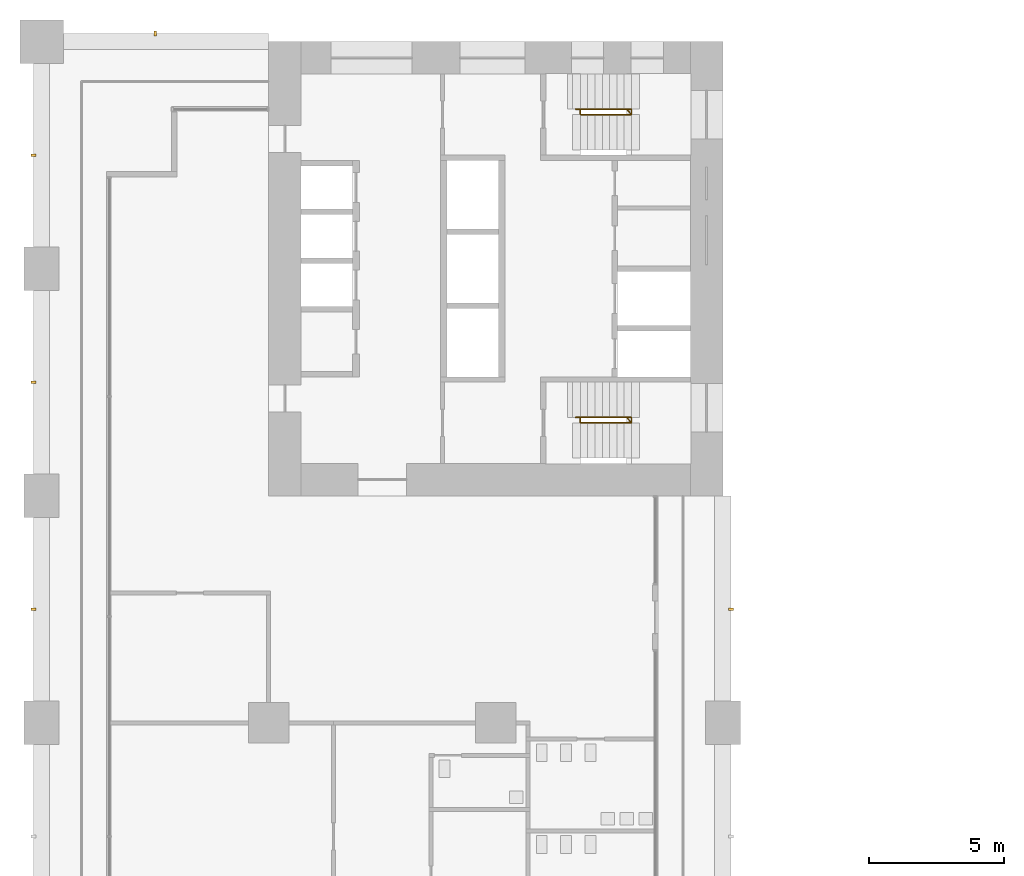
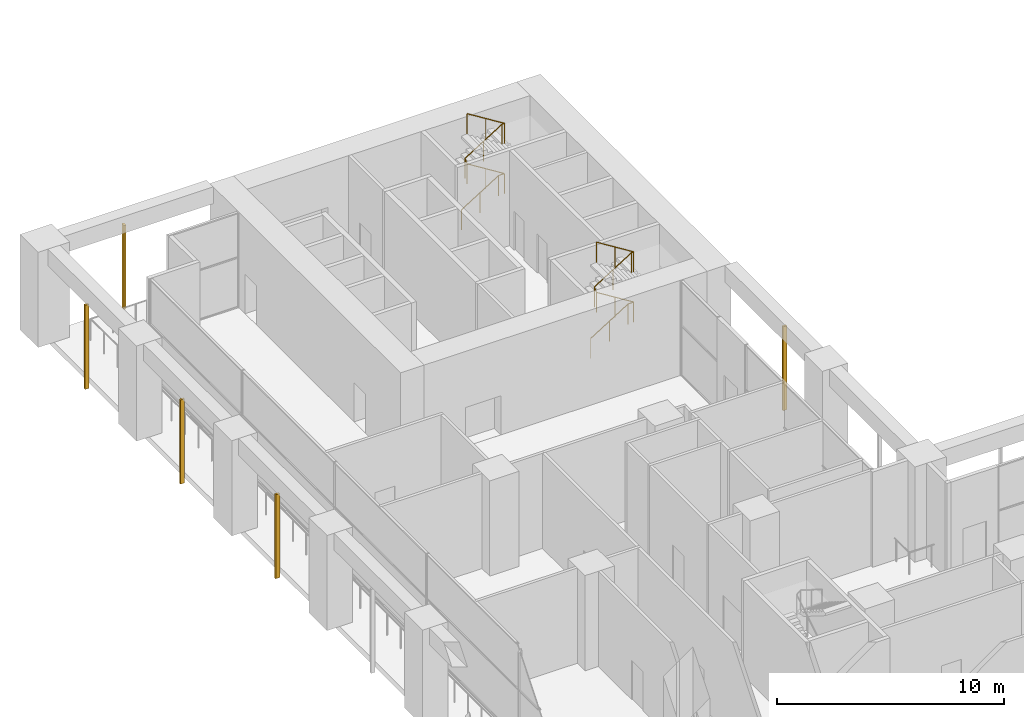
# One storey, part 28 of 32: 5 shading devices, 2 railings.
"""IFC4 building model written with IfcOpenShell, lengths in metres."""

from ifc_helpers import new_model, si_unit, direction, frame, origin, origin_2d, place, context, subcontext, project, spatial, rectangle, circle, extrude, material, material_profile, profile_set, type_object, element, save


model = new_model("IFC4")

# Units and contexts
model_context = context("Model", 3, precision=1e-05, world=origin(), true_north=direction((0.0, 1.0)))
body_context = subcontext(model_context, "Body", "Model", "MODEL_VIEW")
ifc_project = project(units=[si_unit("LENGTHUNIT", "METRE"), si_unit("AREAUNIT", "SQUARE_METRE"), si_unit("VOLUMEUNIT", "CUBIC_METRE"), si_unit("PLANEANGLEUNIT", "RADIAN"), si_unit("MASSUNIT", "GRAM", prefix="KILO")], contexts=[model_context])

# Site, building, storey
site_placement = place(None, origin())
site = spatial("IfcSite", under=ifc_project, at=site_placement, CompositionType="ELEMENT")
building_placement = place(site_placement, origin())
building = spatial("IfcBuilding", under=site, at=building_placement, Name="Vermilion Gate Residences", CompositionType="ELEMENT")
storey_placement = place(building_placement, frame((0.0, 0.0, 19.800048828125)))
storey = spatial("IfcBuildingStorey", under=building, at=storey_placement, Name="L03", CompositionType="ELEMENT", Elevation=19.800048828125)

# Railings
ifc_material_1 = material(Name="Steel S355", Category="steel")
railing_type = type_object("IfcRailingType", Name="STAIR GUARD 1100 STEEL", PredefinedType="GUARDRAIL", material=ifc_material_1)
railing_1_placement = place(storey_placement, frame((19.75, 56.300048828125, 0.168701171875)))
element("IfcRailing", 1, at=railing_1_placement, inside=storey, type_object=railing_type, Name="Stair well guard STB1-03", PredefinedType="GUARDRAIL", context=body_context, shape_type="SweptSolid", body=[
    extrude(circle(Radius=0.02392578125, at=origin_2d()), frame((0.0, 0.0, 1.076171875), z_axis=(0.848004458282, 0.0, 0.529989093033), x_axis=(0.0, 1.0, 0.0)), (0.0, 0.0, 1.0), 2.228515625),
    extrude(circle(Radius=0.02392578125, at=origin_2d()), frame((1.889892578125, 0.0, 2.25732421875), z_axis=(0.566976657763, -0.629205803127, 0.531636649285), x_axis=(0.74288808428, 0.669415636384, 0.0)), (0.0, 0.0, 1.0), 0.31787109375),
    extrude(circle(Radius=0.02392578125, at=origin_2d()), frame((2.070068359375, -0.199951171875, 2.42626953125), z_axis=(-0.848035224522, 0.0, 0.529939862598), x_axis=(0.0, -1.0, 0.0)), (0.0, 0.0, 1.0), 2.228759765625),
    extrude(circle(Radius=0.02392578125, at=origin_2d()), frame((0.179931640625, -0.199951171875, 3.607421875), z_axis=(0.0, 0.764305856904, 0.644853903688), x_axis=(-1.0, 0.0, 0.0)), (0.0, 0.0, 1.0), 0.26171875),
    extrude(circle(Radius=0.02392578125, at=origin_2d()), frame((0.179931640625, 0.0, 3.77587890625), z_axis=(0.847985996966, 0.0, 0.530018630757), x_axis=(0.0, 1.0, 0.0)), (0.0, 0.0, 1.0), 2.22900390625),
    extrude(circle(Radius=0.02392578125, at=origin_2d()), frame((2.070068359375, 0.0, 4.95751953125), z_axis=(0.0, -0.764305856904, 0.644853903688), x_axis=(1.0, 0.0, 0.0)), (0.0, 0.0, 1.0), 0.26171875),
    extrude(circle(Radius=0.02392578125, at=origin_2d()), frame((2.070068359375, -0.199951171875, 5.1259765625), z_axis=(-0.848035224522, 0.0, 0.529939862598), x_axis=(0.0, -1.0, 0.0)), (0.0, 0.0, 1.0), 2.228759765625),
    extrude(circle(Radius=0.02099609375, at=origin_2d()), origin(), (0.0, 0.0, 1.0), 1.052001953125),
    extrude(circle(Radius=0.02099609375, at=origin_2d()), frame((0.94482421875, 0.0, 0.590576171875)), (0.0, 0.0, 1.0), 1.052001953125),
    extrude(circle(Radius=0.02099609375, at=origin_2d()), frame((1.889892578125, 0.0, 1.18115234375)), (0.0, 0.0, 1.0), 1.052001953125),
    extrude(circle(Radius=0.02099609375, at=origin_2d()), frame((2.070068359375, -0.199951171875, 1.35009765625)), (0.0, 0.0, 1.0), 1.052001953125),
    extrude(circle(Radius=0.02099609375, at=origin_2d()), frame((1.125, -0.199951171875, 1.940673828125)), (0.0, 0.0, 1.0), 1.052001953125),
    extrude(circle(Radius=0.02099609375, at=origin_2d()), frame((0.179931640625, -0.199951171875, 2.53125)), (0.0, 0.0, 1.0), 1.052001953125),
    extrude(circle(Radius=0.02099609375, at=origin_2d()), frame((0.179931640625, 0.0, 2.699951171875)), (0.0, 0.0, 1.0), 1.052001953125),
    extrude(circle(Radius=0.02099609375, at=origin_2d()), frame((1.125, 0.0, 3.29052734375)), (0.0, 0.0, 1.0), 1.052001953125),
    extrude(circle(Radius=0.02099609375, at=origin_2d()), frame((2.070068359375, 0.0, 3.88134765625)), (0.0, 0.0, 1.0), 1.052001953125),
    extrude(circle(Radius=0.02099609375, at=origin_2d()), frame((2.070068359375, -0.199951171875, 4.050048828125)), (0.0, 0.0, 1.0), 1.052001953125),
    extrude(circle(Radius=0.02099609375, at=origin_2d()), frame((1.125, -0.199951171875, 4.640625)), (0.0, 0.0, 1.0), 1.052001953125),
    extrude(circle(Radius=0.02099609375, at=origin_2d()), frame((0.179931640625, -0.199951171875, 5.231201171875)), (0.0, 0.0, 1.0), 1.052001953125),
])
railing_2_placement = place(storey_placement, frame((19.75, 44.89990234375, 0.168701171875)))
element("IfcRailing", 2, at=railing_2_placement, inside=storey, type_object=railing_type, Name="Stair well guard STB2-03", PredefinedType="GUARDRAIL", context=body_context, shape_type="SweptSolid", body=[
    extrude(circle(Radius=0.02392578125, at=origin_2d()), frame((0.0, 0.0, 1.076171875), z_axis=(0.848004458282, 0.0, 0.529989093033), x_axis=(0.0, 1.0, 0.0)), (0.0, 0.0, 1.0), 2.228515625),
    extrude(circle(Radius=0.02392578125, at=origin_2d()), frame((1.889892578125, 0.0, 2.25732421875), z_axis=(0.566976657763, -0.629205803127, 0.531636649285), x_axis=(0.74288808428, 0.669415636384, 0.0)), (0.0, 0.0, 1.0), 0.31787109375),
    extrude(circle(Radius=0.02392578125, at=origin_2d()), frame((2.070068359375, -0.199951171875, 2.42626953125), z_axis=(-0.848035224522, 0.0, 0.529939862598), x_axis=(0.0, -1.0, 0.0)), (0.0, 0.0, 1.0), 2.228759765625),
    extrude(circle(Radius=0.02392578125, at=origin_2d()), frame((0.179931640625, -0.199951171875, 3.607421875), z_axis=(0.0, 0.764305856904, 0.644853903688), x_axis=(-1.0, 0.0, 0.0)), (0.0, 0.0, 1.0), 0.26171875),
    extrude(circle(Radius=0.02392578125, at=origin_2d()), frame((0.179931640625, 0.0, 3.77587890625), z_axis=(0.847985996966, 0.0, 0.530018630757), x_axis=(0.0, 1.0, 0.0)), (0.0, 0.0, 1.0), 2.22900390625),
    extrude(circle(Radius=0.02392578125, at=origin_2d()), frame((2.070068359375, 0.0, 4.95751953125), z_axis=(0.0, -0.764305856904, 0.644853903688), x_axis=(1.0, 0.0, 0.0)), (0.0, 0.0, 1.0), 0.26171875),
    extrude(circle(Radius=0.02392578125, at=origin_2d()), frame((2.070068359375, -0.199951171875, 5.1259765625), z_axis=(-0.848035224522, 0.0, 0.529939862598), x_axis=(0.0, -1.0, 0.0)), (0.0, 0.0, 1.0), 2.228759765625),
    extrude(circle(Radius=0.02099609375, at=origin_2d()), origin(), (0.0, 0.0, 1.0), 1.052001953125),
    extrude(circle(Radius=0.02099609375, at=origin_2d()), frame((0.94482421875, 0.0, 0.590576171875)), (0.0, 0.0, 1.0), 1.052001953125),
    extrude(circle(Radius=0.02099609375, at=origin_2d()), frame((1.889892578125, 0.0, 1.18115234375)), (0.0, 0.0, 1.0), 1.052001953125),
    extrude(circle(Radius=0.02099609375, at=origin_2d()), frame((2.070068359375, -0.199951171875, 1.35009765625)), (0.0, 0.0, 1.0), 1.052001953125),
    extrude(circle(Radius=0.02099609375, at=origin_2d()), frame((1.125, -0.199951171875, 1.940673828125)), (0.0, 0.0, 1.0), 1.052001953125),
    extrude(circle(Radius=0.02099609375, at=origin_2d()), frame((0.179931640625, -0.199951171875, 2.53125)), (0.0, 0.0, 1.0), 1.052001953125),
    extrude(circle(Radius=0.02099609375, at=origin_2d()), frame((0.179931640625, 0.0, 2.699951171875)), (0.0, 0.0, 1.0), 1.052001953125),
    extrude(circle(Radius=0.02099609375, at=origin_2d()), frame((1.125, 0.0, 3.29052734375)), (0.0, 0.0, 1.0), 1.052001953125),
    extrude(circle(Radius=0.02099609375, at=origin_2d()), frame((2.070068359375, 0.0, 3.88134765625)), (0.0, 0.0, 1.0), 1.052001953125),
    extrude(circle(Radius=0.02099609375, at=origin_2d()), frame((2.070068359375, -0.199951171875, 4.050048828125)), (0.0, 0.0, 1.0), 1.052001953125),
    extrude(circle(Radius=0.02099609375, at=origin_2d()), frame((1.125, -0.199951171875, 4.640625)), (0.0, 0.0, 1.0), 1.052001953125),
    extrude(circle(Radius=0.02099609375, at=origin_2d()), frame((0.179931640625, -0.199951171875, 5.231201171875)), (0.0, 0.0, 1.0), 1.052001953125),
])

# Shading devices
ifc_material_2 = material(Name="Extruded terracotta", Category="masonry")
ifc_material_profile = material_profile(ifc_material_2, rectangle(XDim=0.199951171875, YDim=0.10009765625, at=origin_2d()), Name="BAGUETTE 100 X 200")
ifc_profile_set = profile_set([ifc_material_profile], Name="Extruded terracotta")
shading_device_type = type_object("IfcShadingDeviceType", Name="TERRACOTTA BAGUETTE 100 X 200", PredefinedType="JALOUSIE", material=ifc_profile_set)
for number, where, z_axis, x_axis, name in (
    (3, (25.5, 37.800048828125, -0.300048828125), (0.0, 0.0, 1.0), (-1.0, 0.0, 0.0), "BAGUETTE"),
    (4, (4.199951171875, 59.10009765625, -0.300048828125), (0.0, 0.0, 1.0), (0.0, -1.0, 0.0), "BAGUETTE"),
    (5, (-0.300048828125, 37.800048828125, -0.300048828125), (0.0, 0.0, 1.0), (1.0, 0.0, 0.0), "BAGUETTE"),
    (6, (-0.300048828125, 46.199951171875, -0.300048828125), (0.0, 0.0, 1.0), (1.0, 0.0, 0.0), "BAGUETTE"),
    (7, (-0.300048828125, 54.60009765625, -0.300048828125), (0.0, 0.0, 1.0), (1.0, 0.0, 0.0), "BAGUETTE"),
):
    element("IfcShadingDevice", number, at=place(storey_placement, frame(where, z_axis=z_axis, x_axis=x_axis)), inside=storey, type_object=shading_device_type, Name=name, PredefinedType="JALOUSIE", context=body_context, shape_type="SweptSolid", body=[
        extrude(rectangle(XDim=0.199951171875, YDim=0.10009765625, at=origin_2d()), origin(), (0.0, 0.0, 1.0), 4.52001953125),
    ])

save(model, "model.ifc")
